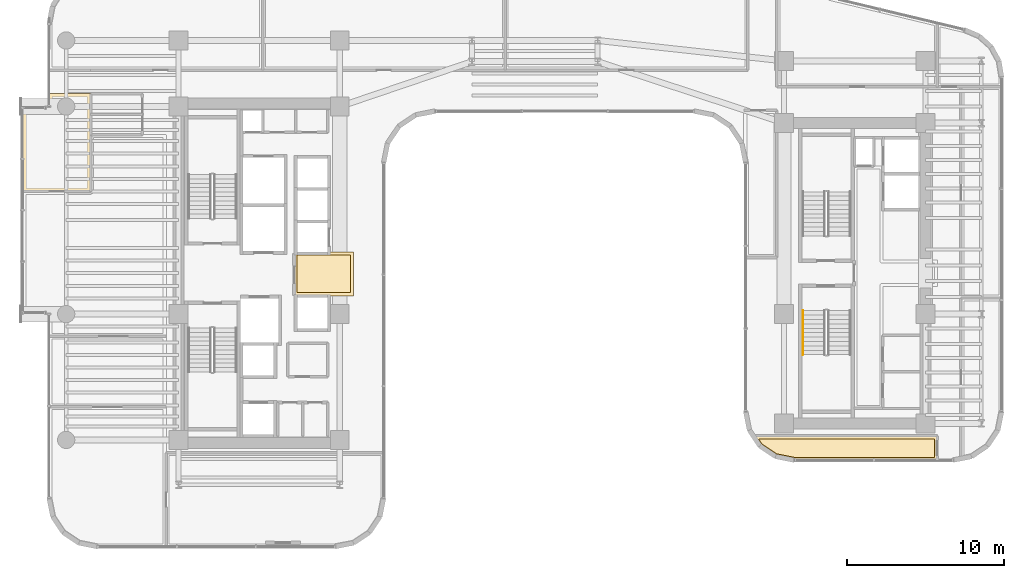
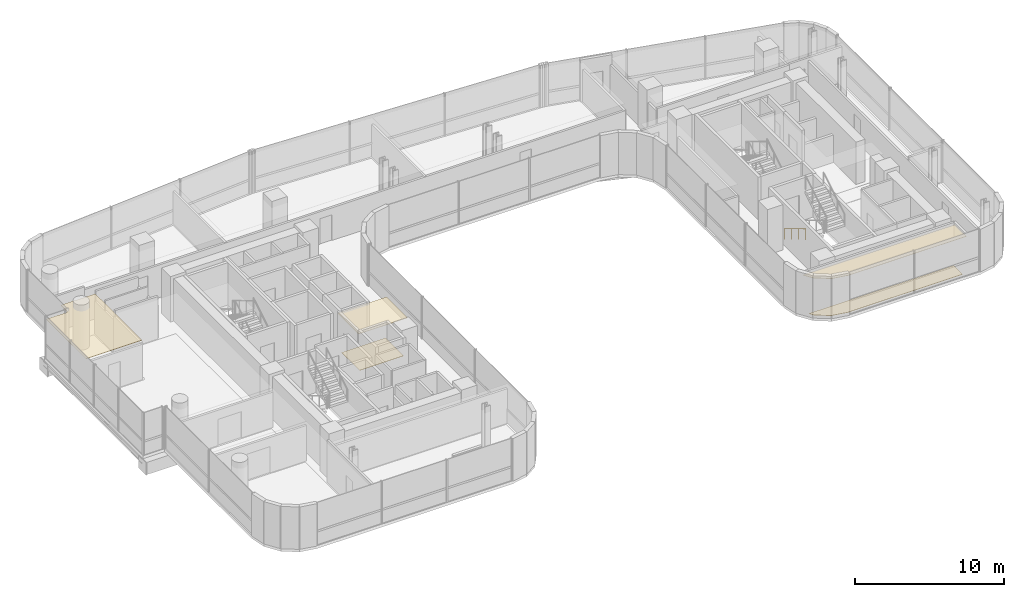
# One storey, part 32 of 34: 5 coverings, 1 railing.
"""IFC4 building model written with IfcOpenShell, lengths in metres."""

from ifc_helpers import new_model, si_unit, direction, frame, origin, origin_2d, place, context, subcontext, project, spatial, polyline, circle, outline, extrude, material, layer, layer_set, type_object, element, save


model = new_model("IFC4")

# Units and contexts
model_context = context("Model", 3, precision=1e-05, world=origin(), true_north=direction((0.0, 1.0)))
body_context = subcontext(model_context, "Body", "Model", "MODEL_VIEW")
ifc_project = project(units=[si_unit("LENGTHUNIT", "METRE"), si_unit("AREAUNIT", "SQUARE_METRE"), si_unit("VOLUMEUNIT", "CUBIC_METRE"), si_unit("PLANEANGLEUNIT", "RADIAN"), si_unit("MASSUNIT", "GRAM", prefix="KILO")], contexts=[model_context])

# Site, building, storey
site_placement = place(None, origin())
site = spatial("IfcSite", under=ifc_project, at=site_placement, CompositionType="ELEMENT")
building_placement = place(site_placement, origin())
building = spatial("IfcBuilding", under=site, at=building_placement, Name="Valdorenza Pilgrim Sanctuary Tower", CompositionType="ELEMENT")
storey_placement = place(building_placement, frame((0.0, 0.0, 146.39990234375)))
storey = spatial("IfcBuildingStorey", under=building, at=storey_placement, Name="L37", CompositionType="ELEMENT", Elevation=146.39990234375)

# Coverings
ifc_material_1 = material(Name="Micro-perforated acoustic mineral ceiling tile", Category="gypsum")
ifc_layer_1 = layer(ifc_material_1, 0.02490234375, Name="Micro-perforated acoustic mineral ceiling tile")
ifc_layer_set_1 = layer_set([ifc_layer_1], Name="Micro-perforated acoustic mineral ceiling tile")
covering_type_1 = type_object("IfcCoveringType", Name="COV-CLG-ACU", PredefinedType="CEILING", material=ifc_layer_set_1)
covering_1_placement = place(storey_placement, frame((0.0, 0.0, 3.16015625)))
element("IfcCovering", 1, at=covering_1_placement, inside=storey, type_object=covering_type_1, Name="L37 Core A Passenger Lift Lobby Acoustic Ceiling", PredefinedType="CEILING", context=body_context, shape_type="SweptSolid", body=[
    extrude(outline(polyline([(-15.31298828125, 1.244384765625), (-15.31298828125, 1.24462890625), (-15.313720703125, 1.24609375), (-15.314208984375, 1.24755859375), (-15.314697265625, 1.2490234375), (-15.31494140625, 1.25048828125), (-15.31494140625, 1.251953125), (-15.31494140625, 1.35009765625), (-15.31494140625, 1.3515625), (-15.314697265625, 1.352783203125), (-15.314453125, 1.3544921875), (-15.31396484375, 1.355712890625), (-15.313232421875, 1.357177734375), (-15.3125, 1.3583984375), (-15.3115234375, 1.359619140625), (-15.310546875, 1.360595703125), (-15.3095703125, 1.361572265625), (-15.308349609375, 1.362548828125), (-15.30712890625, 1.36328125), (-15.3056640625, 1.364013671875), (-15.304443359375, 1.364501953125), (-15.302978515625, 1.36474609375), (-15.301513671875, 1.364990234375), (-15.300048828125, 1.364990234375), (-15.10205078125, 1.364990234375), (-15.1005859375, 1.364990234375), (-15.09912109375, 1.36474609375), (-15.097412109375, 1.3642578125), (-15.09619140625, 1.36376953125), (-15.0947265625, 1.363037109375), (-15.094482421875, 1.363037109375), (-13.185546875, 1.363037109375), (-13.185302734375, 1.363037109375), (-13.183837890625, 1.36376953125), (-13.1826171875, 1.3642578125), (-13.180908203125, 1.36474609375), (-13.179443359375, 1.364990234375), (-13.177978515625, 1.364990234375), (-11.550048828125, 1.364990234375), (-11.548583984375, 1.364990234375), (-11.547119140625, 1.36474609375), (-11.545654296875, 1.364501953125), (-11.544189453125, 1.364013671875), (-11.54296875, 1.36328125), (-11.541748046875, 1.362548828125), (-11.54052734375, 1.361572265625), (-11.539306640625, 1.360595703125), (-11.538330078125, 1.359619140625), (-11.53759765625, 1.3583984375), (-11.536865234375, 1.357177734375), (-11.5361328125, 1.355712890625), (-11.53564453125, 1.3544921875), (-11.535400390625, 1.352783203125), (-11.53515625, 1.3515625), (-11.534912109375, 1.35009765625), (-11.534912109375, -1.419921875), (-11.53515625, -1.42138671875), (-11.535400390625, -1.4228515625), (-11.53564453125, -1.42431640625), (-11.5361328125, -1.42578125), (-11.536865234375, -1.427001953125), (-11.53759765625, -1.42822265625), (-11.538330078125, -1.429443359375), (-11.539306640625, -1.4306640625), (-11.54052734375, -1.431640625), (-11.541748046875, -1.4326171875), (-11.54296875, -1.43310546875), (-11.544189453125, -1.433837890625), (-11.545654296875, -1.434326171875), (-11.547119140625, -1.434814453125), (-11.548583984375, -1.434814453125), (-11.550048828125, -1.43505859375), (-15.298095703125, -1.43505859375), (-15.299560546875, -1.434814453125), (-15.30078125, -1.434814453125), (-15.302490234375, -1.434326171875), (-15.3037109375, -1.433837890625), (-15.30517578125, -1.43310546875), (-15.306396484375, -1.4326171875), (-15.3076171875, -1.431640625), (-15.30859375, -1.4306640625), (-15.3095703125, -1.429443359375), (-15.310546875, -1.42822265625), (-15.311279296875, -1.427001953125), (-15.31201171875, -1.42578125), (-15.3125, -1.42431640625), (-15.312744140625, -1.4228515625), (-15.31298828125, -1.42138671875), (-15.31298828125, -1.419921875), (-15.31298828125, 1.244384765625)])), origin(), (0.0, 0.0, 1.0), 0.02490234375),
])
covering_2_placement = place(storey_placement, frame((0.0, 0.0, 3.16015625)))
element("IfcCovering", 2, at=covering_2_placement, inside=storey, type_object=covering_type_1, Name="L37 North Contemplation Lounge L37 Acoustic Ceiling", PredefinedType="CEILING", context=body_context, shape_type="SweptSolid", body=[
    extrude(outline(polyline([(-28.237060546875, 8.805419921875), (-28.23681640625, 8.805419921875), (-28.236083984375, 8.803955078125), (-28.235595703125, 8.802490234375), (-28.2353515625, 8.801025390625), (-28.235107421875, 8.799560546875), (-28.235107421875, 8.798095703125), (-28.235107421875, 5.199951171875), (-28.235107421875, 5.198486328125), (-28.2353515625, 5.197021484375), (-28.235595703125, 5.195556640625), (-28.236083984375, 5.1943359375), (-28.23681640625, 5.19287109375), (-28.237548828125, 5.191650390625), (-28.23828125, 5.1904296875), (-28.239501953125, 5.189453125), (-28.240478515625, 5.1884765625), (-28.24169921875, 5.1875), (-28.242919921875, 5.186767578125), (-28.244384765625, 5.18603515625), (-28.24560546875, 5.185546875), (-28.2470703125, 5.185302734375), (-28.24853515625, 5.18505859375), (-28.25, 5.18505859375), (-32.5400390625, 5.18505859375), (-32.54150390625, 5.18505859375), (-32.54296875, 5.185302734375), (-32.54443359375, 5.185546875), (-32.545654296875, 5.18603515625), (-32.547119140625, 5.186767578125), (-32.54833984375, 5.1875), (-32.549560546875, 5.1884765625), (-32.550537109375, 5.189453125), (-32.551513671875, 5.1904296875), (-32.552490234375, 5.191650390625), (-32.55322265625, 5.19287109375), (-32.553955078125, 5.1943359375), (-32.554443359375, 5.195556640625), (-32.5546875, 5.197021484375), (-32.554931640625, 5.198486328125), (-32.554931640625, 5.199951171875), (-32.554931640625, 10.489990234375), (-32.554931640625, 10.491455078125), (-32.5546875, 10.492919921875), (-32.554443359375, 10.494384765625), (-32.553955078125, 10.49560546875), (-32.55322265625, 10.4970703125), (-32.552490234375, 10.498291015625), (-32.551513671875, 10.49951171875), (-32.550537109375, 10.50048828125), (-32.549560546875, 10.501708984375), (-32.54833984375, 10.50244140625), (-32.547119140625, 10.503173828125), (-32.545654296875, 10.50390625), (-32.54443359375, 10.50439453125), (-32.54296875, 10.504638671875), (-32.54150390625, 10.5048828125), (-32.5400390625, 10.5048828125), (-31.00048828125, 10.5048828125), (-30.99072265625, 10.505615234375), (-30.9814453125, 10.5068359375), (-30.972412109375, 10.509033203125), (-30.963623046875, 10.51220703125), (-30.955078125, 10.51611328125), (-30.947265625, 10.52099609375), (-30.939697265625, 10.526611328125), (-30.932861328125, 10.53271484375), (-30.926513671875, 10.539794921875), (-30.9208984375, 10.547119140625), (-30.916259765625, 10.55517578125), (-30.912109375, 10.563720703125), (-30.9091796875, 10.572509765625), (-30.90673828125, 10.58154296875), (-30.905517578125, 10.5908203125), (-30.905029296875, 10.600341796875), (-30.905029296875, 11.419921875), (-30.90478515625, 11.42138671875), (-30.90478515625, 11.4228515625), (-30.904296875, 11.42431640625), (-30.90380859375, 11.42578125), (-30.9033203125, 11.427001953125), (-30.902587890625, 11.42822265625), (-30.901611328125, 11.429443359375), (-30.900634765625, 11.4306640625), (-30.8994140625, 11.431640625), (-30.898193359375, 11.4326171875), (-30.897216796875, 11.43310546875), (-30.895751953125, 11.433837890625), (-30.894287109375, 11.434326171875), (-30.892822265625, 11.434814453125), (-30.8916015625, 11.434814453125), (-30.889892578125, 11.43505859375), (-28.25, 11.43505859375), (-28.24853515625, 11.434814453125), (-28.2470703125, 11.434814453125), (-28.24560546875, 11.434326171875), (-28.244384765625, 11.433837890625), (-28.242919921875, 11.43310546875), (-28.24169921875, 11.4326171875), (-28.240478515625, 11.431640625), (-28.239501953125, 11.4306640625), (-28.23828125, 11.429443359375), (-28.237548828125, 11.42822265625), (-28.23681640625, 11.427001953125), (-28.236083984375, 11.42578125), (-28.235595703125, 11.42431640625), (-28.2353515625, 11.4228515625), (-28.235107421875, 11.42138671875), (-28.235107421875, 11.419921875), (-28.235107421875, 11.402099609375), (-28.235107421875, 11.400390625), (-28.2353515625, 11.39892578125), (-28.235595703125, 11.3974609375), (-28.236083984375, 11.39599609375), (-28.23681640625, 11.394775390625), (-28.237060546875, 11.39453125), (-28.237060546875, 10.103759765625), (-28.23681640625, 10.10302734375), (-28.23681640625, 10.1015625), (-28.23681640625, 10.10009765625), (-28.23681640625, 10.098388671875), (-28.237060546875, 10.09814453125), (-28.237060546875, 8.805419921875)])), origin(), (0.0, 0.0, 1.0), 0.02490234375),
])
covering_3_placement = place(storey_placement, frame((0.0, 0.0, 3.16015625)))
element("IfcCovering", 3, at=covering_3_placement, inside=storey, type_object=covering_type_1, Name="L37 Sacred Manuscript Archive L37-BS Acoustic Ceiling", PredefinedType="CEILING", context=body_context, shape_type="SweptSolid", body=[
    extrude(outline(polyline([(25.614990234375, -11.889892578125), (25.614990234375, -11.8916015625), (25.61474609375, -11.892822265625), (25.614501953125, -11.894287109375), (25.614013671875, -11.895751953125), (25.61328125, -11.897216796875), (25.612548828125, -11.898193359375), (25.611572265625, -11.8994140625), (25.610595703125, -11.900634765625), (25.609619140625, -11.901611328125), (25.6083984375, -11.902587890625), (25.607177734375, -11.9033203125), (25.605712890625, -11.90380859375), (25.6044921875, -11.904296875), (25.602783203125, -11.90478515625), (25.6015625, -11.90478515625), (25.60009765625, -11.905029296875), (16.5107421875, -11.905029296875), (16.509521484375, -11.90478515625), (16.5078125, -11.90478515625), (15.3154296875, -11.66748046875), (15.31396484375, -11.6669921875), (15.3125, -11.66650390625), (15.311279296875, -11.666015625), (15.31005859375, -11.665283203125), (14.308349609375, -10.995849609375), (14.30712890625, -10.9951171875), (14.305908203125, -10.993896484375), (14.304931640625, -10.992919921875), (14.30419921875, -10.99169921875), (13.880859375, -10.3583984375), (13.880126953125, -10.357177734375), (13.87939453125, -10.355712890625), (13.87890625, -10.3544921875), (13.878662109375, -10.352783203125), (13.87841796875, -10.3515625), (13.87841796875, -10.35009765625), (13.87841796875, -10.348388671875), (13.878662109375, -10.34716796875), (13.87890625, -10.345703125), (13.87939453125, -10.34423828125), (13.880126953125, -10.343017578125), (13.880859375, -10.341796875), (13.881591796875, -10.340576171875), (13.8828125, -10.33935546875), (13.8837890625, -10.33837890625), (13.885009765625, -10.33740234375), (13.88623046875, -10.3369140625), (13.8876953125, -10.336181640625), (13.888916015625, -10.335693359375), (13.890380859375, -10.335205078125), (13.891845703125, -10.335205078125), (13.893310546875, -10.3349609375), (25.60009765625, -10.3349609375), (25.6015625, -10.335205078125), (25.602783203125, -10.335205078125), (25.6044921875, -10.335693359375), (25.605712890625, -10.336181640625), (25.607177734375, -10.3369140625), (25.6083984375, -10.33740234375), (25.609619140625, -10.33837890625), (25.610595703125, -10.33935546875), (25.611572265625, -10.340576171875), (25.612548828125, -10.341796875), (25.61328125, -10.343017578125), (25.614013671875, -10.34423828125), (25.614501953125, -10.345703125), (25.61474609375, -10.34716796875), (25.614990234375, -10.348388671875), (25.614990234375, -10.35009765625), (25.614990234375, -11.889892578125)])), origin(), (0.0, 0.0, 1.0), 0.02490234375),
])
ifc_material_2 = material(Name="Honed travertine stone flooring", Category="masonry")
ifc_layer_2 = layer(ifc_material_2, 0.030029296875, Name="Honed travertine stone flooring")
ifc_layer_set_2 = layer_set([ifc_layer_2], Name="Honed travertine stone flooring")
covering_type_2 = type_object("IfcCoveringType", Name="COV-FLR-TRV", PredefinedType="FLOORING", material=ifc_layer_set_2)
covering_4_placement = place(storey_placement, origin())
element("IfcCovering", 4, at=covering_4_placement, inside=storey, type_object=covering_type_2, Name="L37 Core A Passenger Lift Lobby Flooring", PredefinedType="FLOORING", context=body_context, shape_type="SweptSolid", body=[
    extrude(outline(polyline([(-15.117919921875, 1.169189453125), (-15.10888671875, 1.168212890625), (-15.10888671875, 1.168212890625), (-15.10009765625, 1.16796875), (-13.179931640625, 1.16796875), (-13.1796875, 1.16796875), (-11.72998046875, 1.169921875), (-11.72998046875, -1.239990234375), (-15.117919921875, -1.239990234375), (-15.117919921875, 1.169189453125)])), origin(), (0.0, 0.0, 1.0), 0.025146484375),
])
covering_5_placement = place(storey_placement, origin())
element("IfcCovering", 5, at=covering_5_placement, inside=storey, type_object=covering_type_2, Name="L37 Sacred Manuscript Archive L37-BS Flooring", PredefinedType="FLOORING", context=body_context, shape_type="SweptSolid", body=[
    extrude(outline(polyline([(25.419921875, -11.7099609375), (16.528564453125, -11.7099609375), (15.388671875, -11.483154296875), (14.4462890625, -10.853515625), (14.22998046875, -10.530029296875), (25.419921875, -10.530029296875), (25.419921875, -11.7099609375)])), origin(), (0.0, 0.0, 1.0), 0.025146484375),
])

# Railing
ifc_material_3 = material(Name="Brushed stainless steel Grade 316", Category="steel")
railing_type = type_object("IfcRailingType", Name="RLG-HND-920", PredefinedType="HANDRAIL", material=ifc_material_3)
railing_placement = place(storey_placement, frame((17.050048828125, -2.3798828125, 0.168212890625)))
element("IfcRailing", 6, at=railing_placement, inside=storey, type_object=railing_type, Name="L37 ST-B2 stair handrail 1", PredefinedType="HANDRAIL", context=body_context, shape_type="SweptSolid", body=[
    extrude(circle(Radius=0.02392578125, at=origin_2d()), frame((0.0, 0.0, 0.8759765625), z_axis=(0.0, -0.857242210791, 0.514913383045), x_axis=(1.0, 0.0, 0.0)), (0.0, 0.0, 1.0), 3.266357421875),
    extrude(circle(Radius=0.02099609375, at=origin_2d()), origin(), (0.0, 0.0, 1.0), 0.851806640625),
    extrude(circle(Radius=0.02099609375, at=origin_2d()), frame((0.0, -0.933349609375, 0.560546875)), (0.0, 0.0, 1.0), 0.851806640625),
    extrude(circle(Radius=0.02099609375, at=origin_2d()), frame((0.0, -1.86669921875, 1.121337890625)), (0.0, 0.0, 1.0), 0.851806640625),
    extrude(circle(Radius=0.02099609375, at=origin_2d()), frame((0.0, -2.800048828125, 1.681884765625)), (0.0, 0.0, 1.0), 0.851806640625),
])

save(model, "model.ifc")
